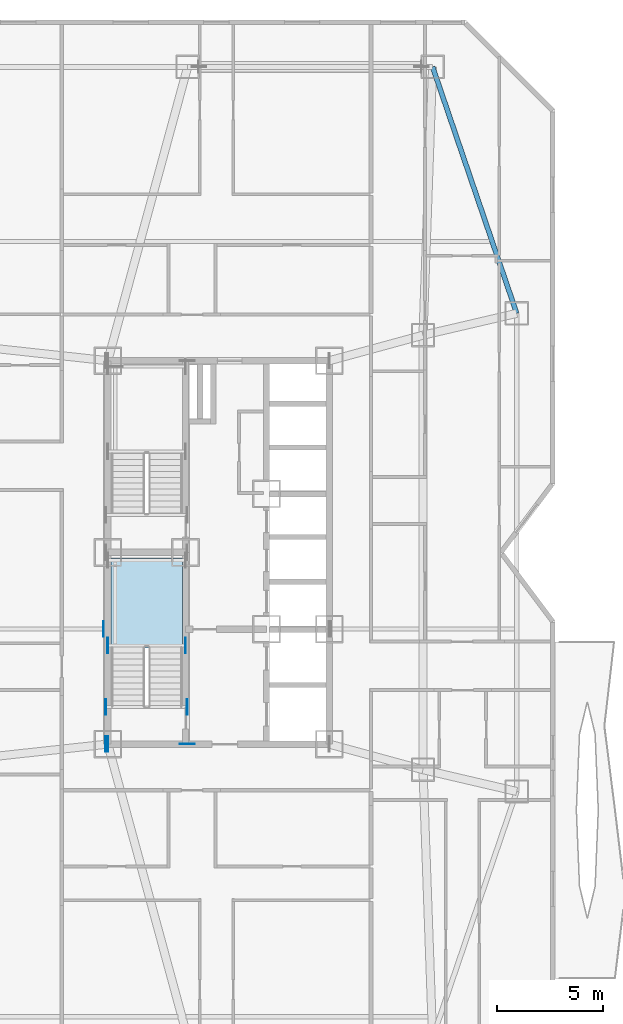
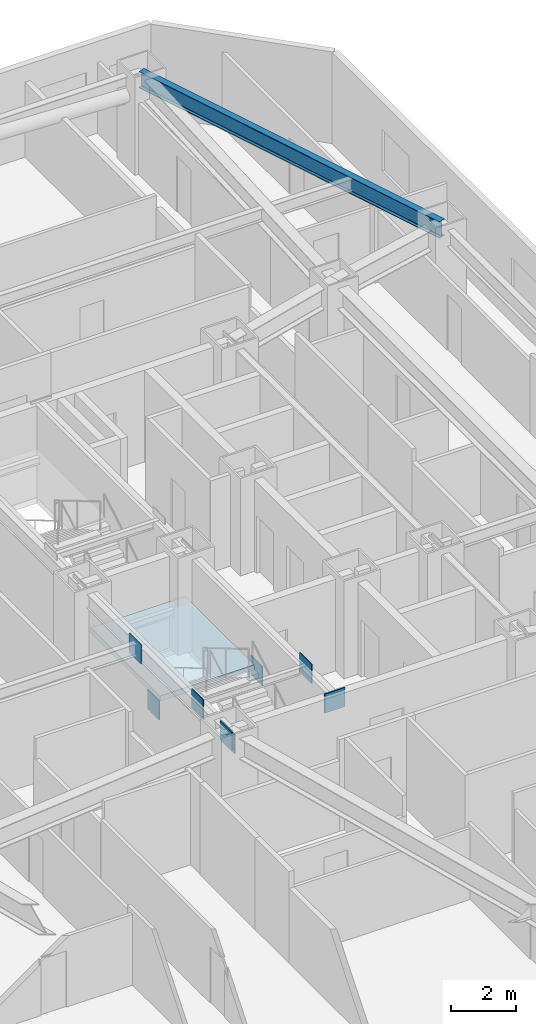
# One storey, part 2 of 16: 8 plates, 1 beam, 1 slab, 1 element without a shape of its own.
"""IFC4 building model written with IfcOpenShell, lengths in metres."""

from ifc_helpers import new_model, si_unit, direction, frame, origin, origin_2d, place, context, subcontext, project, spatial, polyline, rectangle, i_section, outline, extrude, material, layer, layer_set, material_profile, profile_set, type_object, element, aggregate, save


model = new_model("IFC4")

# Units and contexts
model_context = context("Model", 3, precision=1e-05, world=origin(), true_north=direction((0.0, 1.0)))
body_context = subcontext(model_context, "Body", "Model", "MODEL_VIEW")
ifc_project = project(units=[si_unit("LENGTHUNIT", "METRE"), si_unit("AREAUNIT", "SQUARE_METRE"), si_unit("VOLUMEUNIT", "CUBIC_METRE"), si_unit("PLANEANGLEUNIT", "RADIAN"), si_unit("MASSUNIT", "GRAM", prefix="KILO")], contexts=[model_context])

# Site, building, storey
site_placement = place(None, origin())
site = spatial("IfcSite", under=ifc_project, at=site_placement, CompositionType="ELEMENT")
building_placement = place(site_placement, origin())
building = spatial("IfcBuilding", under=site, at=building_placement, Name="Khamvora Tower", CompositionType="ELEMENT")
storey_placement = place(building_placement, frame((0.0, 0.0, 55.199951171875)))
storey = spatial("IfcBuildingStorey", under=building, at=storey_placement, Name="L13", CompositionType="ELEMENT", Elevation=55.199951171875)

# Beam
ifc_material_1 = material(Name="Steel S355", Category="steel")
ifc_material_profile = material_profile(ifc_material_1, i_section(OverallWidth=0.22998046875, OverallDepth=0.616943359375, WebThickness=0.012939453125, FlangeThickness=0.02197265625, FilletRadius=0.013916015625, at=origin_2d()), Name="W610x140")
ifc_profile_set = profile_set([ifc_material_profile], Name="Steel S355")
beam_type = type_object("IfcBeamType", Name="BM-SP-W610x140", PredefinedType="SPANDREL", material=ifc_profile_set)
beam_placement = place(storey_placement, frame((48.199951171875, 39.22509765625, 3.1220703125), z_axis=(-0.322962893199, 0.946411628002, 0.0), x_axis=(-0.946411628002, -0.322962893199, 0.0)))
element("IfcBeam", 1, at=beam_placement, inside=storey, type_object=beam_type, Name="L13 perimeter spandrel beam E2-N4", PredefinedType="SPANDREL", context=body_context, shape_type="SweptSolid", body=[
    extrude(i_section(OverallWidth=0.22998046875, OverallDepth=0.616943359375, WebThickness=0.012939453125, FlangeThickness=0.02197265625, FilletRadius=0.013916015625, at=origin_2d()), origin(), (0.0, 0.0, 1.0), 12.23046875),
])

# Plates
ifc_material_2 = material(Name="Steel S460", Category="steel")
ifc_layer_1 = layer(ifc_material_2, 0.034912109375)
ifc_layer_set_1 = layer_set([ifc_layer_1], Name="Steel S460")
plate_type = type_object("IfcPlateType", Name="PL-EMB-35", PredefinedType="SHEET", material=ifc_layer_set_1)
for number, where, z_axis, x_axis, name in (
    (2, (29.0, 23.635009765625, 1.13427734375), (0.0, 0.0, 1.0), (1.0, 0.0, 0.0), "L13 core shear wall cast-in embed plate 0394"),
    (3, (32.64990234375, 23.635009765625, 1.13427734375), (0.0, 0.0, 1.0), (1.0, 0.0, 0.0), "L13 core shear wall cast-in embed plate 0395"),
    (4, (29.0, 19.0, 2.68408203125), (0.0, 0.0, 1.0), (1.0, 0.0, 0.0), "L13 core shear wall cast-in embed plate 0403"),
    (5, (28.89990234375, 19.0, 2.80419921875), (0.0, 0.0, 1.0), (1.0, 0.0, 0.0), "L13 core shear wall cast-in embed plate 0407"),
):
    element("IfcPlate", number, at=place(storey_placement, frame(where, z_axis=z_axis, x_axis=x_axis)), inside=storey, type_object=plate_type, Name=name, PredefinedType="SHEET", context=body_context, shape_type="SweptSolid", body=[
        extrude(rectangle(XDim=0.034912109375, YDim=0.719970703125, at=origin_2d()), origin(), (0.0, 0.0, 1.0), 0.719970703125),
    ])
plate_placement = place(storey_placement, frame((32.72998046875, 19.0, 2.80419921875), z_axis=(0.0, 0.0, 1.0), x_axis=(1.0, 0.0, 0.0)))
element("IfcPlate", 6, at=plate_placement, inside=storey, type_object=plate_type, Name="L13 core shear wall cast-in embed plate 0410", PredefinedType="SHEET", context=body_context, shape_type="SweptSolid", body=[
    extrude(rectangle(XDim=0.719970703125, YDim=0.034912109375, at=origin_2d()), origin(), (0.0, 0.0, 1.0), 0.719970703125),
])
for number, where, z_axis, x_axis, name in (
    (7, (28.89990234375, 20.75, 2.94384765625), (0.0, 0.0, 1.0), (1.0, 0.0, 0.0), "L13 core shear wall cast-in embed plate 0416"),
    (8, (32.72998046875, 20.75, 2.94384765625), (0.0, 0.0, 1.0), (1.0, 0.0, 0.0), "L13 core shear wall cast-in embed plate 0417"),
    (9, (28.800048828125, 24.39990234375, 2.8388671875), (0.0, 0.0, 1.0), (1.0, 0.0, 0.0), "L13 core shear wall cast-in embed plate 0420"),
):
    element("IfcPlate", number, at=place(storey_placement, frame(where, z_axis=z_axis, x_axis=x_axis)), inside=storey, type_object=plate_type, Name=name, PredefinedType="SHEET", context=body_context, shape_type="SweptSolid", body=[
        extrude(rectangle(XDim=0.034912109375, YDim=0.719970703125, at=origin_2d()), origin(), (0.0, 0.0, 1.0), 0.719970703125),
    ])

# Stair, slab
ifc_material_3 = material(Name="Concrete C40/50", Category="concrete")
stair_type = type_object("IfcStairType", Name="STR-ST-01", PredefinedType="HALF_TURN_STAIR", material=ifc_material_3)
stair_placement = place(storey_placement, origin())
stair = element("IfcStair", 10, at=stair_placement, inside=storey, type_object=stair_type, Name="L13 South Tower Exit Stair ST-01", PredefinedType="HALF_TURN_STAIR")
ifc_layer_2 = layer(ifc_material_3, 0.199951171875)
ifc_layer_set_2 = layer_set([ifc_layer_2], Name="Concrete C40/50")
slab_type = type_object("IfcSlabType", Name="SLB-LND-200", PredefinedType="LANDING", material=ifc_layer_set_2)
slab_placement = place(storey_placement, frame((0.0, 0.0, 1.625)))
slab = element("IfcSlab", 11, at=slab_placement, type_object=slab_type, Name="ST-01 landing 1", PredefinedType="LANDING", context=body_context, shape_type="SweptSolid", body=[
    extrude(outline(polyline([(32.5, 23.514892578125), (32.5, 27.75), (29.14990234375, 27.75), (29.14990234375, 23.514892578125), (32.5, 23.514892578125)])), origin(), (0.0, 0.0, 1.0), 0.199951171875),
])
aggregate(stair, [slab])

save(model, "model.ifc")
